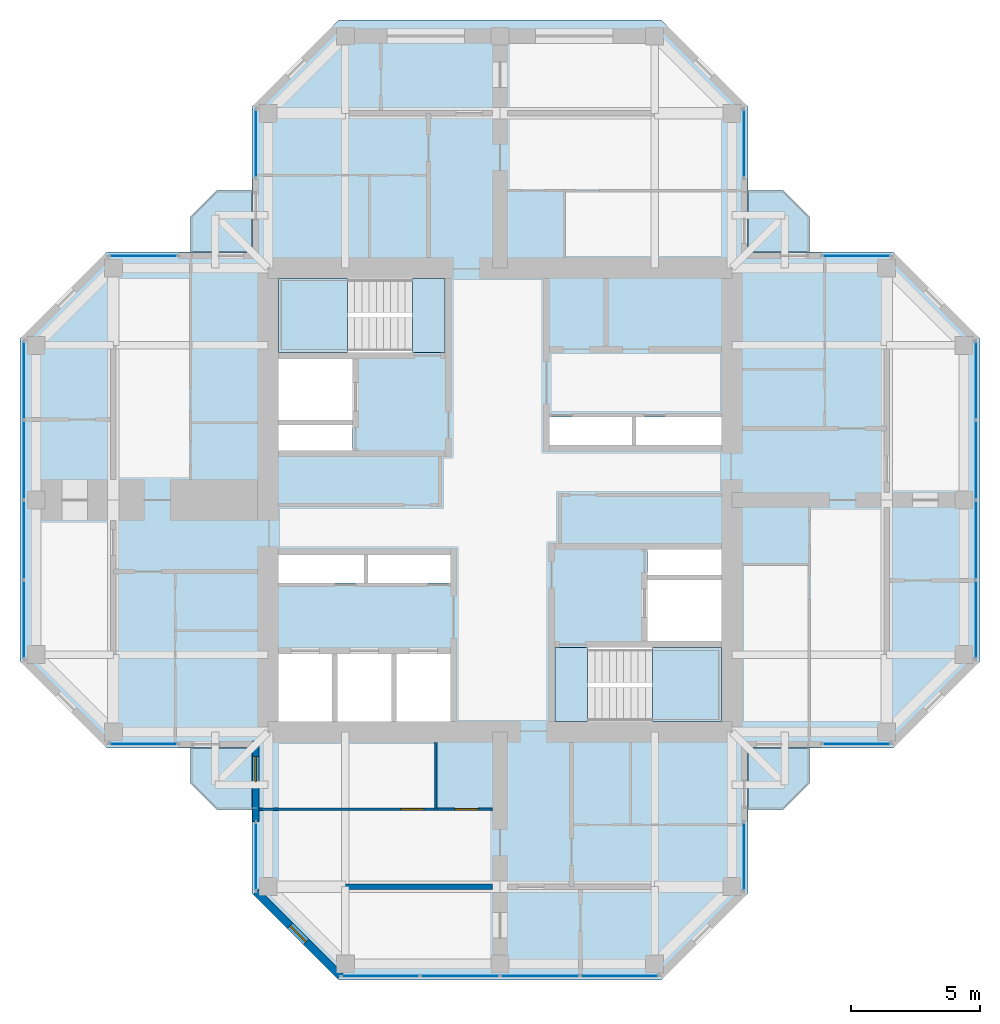
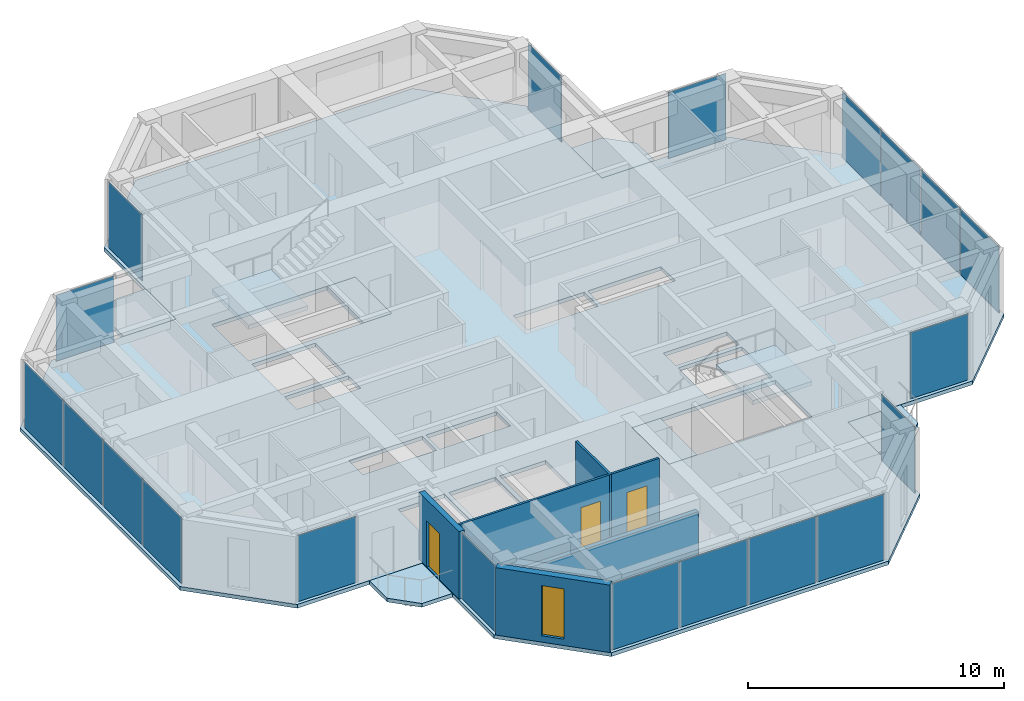
# One storey, part 7 of 13: 20 plates, 9 slabs, 5 walls, 3 doors, 1 window, 4 openings, 13 elements without a shape of their own.
"""IFC4 building model written with IfcOpenShell, lengths in metres."""

from ifc_helpers import new_model, si_unit, direction, frame, frame_2d, origin, origin_2d, place, context, subcontext, project, spatial, polyline, rectangle, hollow_rectangle, outline, extrude, material, layer, layer_set, constituent, constituent_set, type_object, element, fill, aggregate, save


model = new_model("IFC4")

# Units and contexts
model_context = context("Model", 3, precision=1e-05, world=origin(), true_north=direction((0.0, 1.0)))
body_context = subcontext(model_context, "Body", "Model", "MODEL_VIEW")
ifc_project = project(units=[si_unit("LENGTHUNIT", "METRE"), si_unit("AREAUNIT", "SQUARE_METRE"), si_unit("VOLUMEUNIT", "CUBIC_METRE"), si_unit("PLANEANGLEUNIT", "RADIAN"), si_unit("MASSUNIT", "GRAM", prefix="KILO")], contexts=[model_context])

# Site, building, storey
site_placement = place(None, origin())
site = spatial("IfcSite", under=ifc_project, at=site_placement, CompositionType="ELEMENT")
building_placement = place(site_placement, origin())
building = spatial("IfcBuilding", under=site, at=building_placement, Name="Torre Cruceta", CompositionType="ELEMENT")
storey_placement = place(building_placement, frame((0.0, 0.0, 261.10009765625)))
storey = spatial("IfcBuildingStorey", under=building, at=storey_placement, Name="L67", CompositionType="ELEMENT", Elevation=261.10009765625)

# Slabs
ifc_material_1 = material(Name="Concrete G35 (fck 35 MPa)", Category="concrete")
ifc_layer_1 = layer(ifc_material_1, 0.179931640625)
ifc_layer_set_1 = layer_set([ifc_layer_1], Name="Concrete G35 (fck 35 MPa)")
slab_type_1 = type_object("IfcSlabType", Name="BALCONY SLAB 180", PredefinedType="USERDEFINED", material=ifc_layer_set_1)
slab_1_placement = place(storey_placement, frame((0.0, 0.0, -0.18017578125)))
element("IfcSlab", 1, at=slab_1_placement, inside=storey, type_object=slab_type_1, Name="Balcony slab L67 N", ObjectType="BALCONY", PredefinedType="USERDEFINED", context=body_context, shape_type="SweptSolid", body=[
    extrude(outline(polyline([(-12.0, 11.0), (-11.0, 12.0), (-9.6201171875, 12.0), (-9.6201171875, 9.6201171875), (-12.0, 9.6201171875), (-12.0, 11.0)])), origin(), (0.0, 0.0, 1.0), 0.18017578125),
])
slab_2_placement = place(storey_placement, frame((0.0, 0.0, -0.18017578125)))
element("IfcSlab", 2, at=slab_2_placement, inside=storey, type_object=slab_type_1, Name="Balcony slab L67 E", ObjectType="BALCONY", PredefinedType="USERDEFINED", context=body_context, shape_type="SweptSolid", body=[
    extrude(outline(polyline([(11.0, 12.0), (12.0, 11.0), (12.0, 9.6201171875), (9.6201171875, 9.6201171875), (9.6201171875, 12.0), (11.0, 12.0)])), origin(), (0.0, 0.0, 1.0), 0.18017578125),
])
slab_3_placement = place(storey_placement, frame((0.0, 0.0, -0.18017578125)))
element("IfcSlab", 3, at=slab_3_placement, inside=storey, type_object=slab_type_1, Name="Balcony slab L67 S", ObjectType="BALCONY", PredefinedType="USERDEFINED", context=body_context, shape_type="SweptSolid", body=[
    extrude(outline(polyline([(12.0, -11.0), (11.0, -12.0), (9.6201171875, -12.0), (9.6201171875, -9.6201171875), (12.0, -9.6201171875), (12.0, -11.0)])), origin(), (0.0, 0.0, 1.0), 0.18017578125),
])
slab_4_placement = place(storey_placement, frame((0.0, 0.0, -0.18017578125)))
element("IfcSlab", 4, at=slab_4_placement, inside=storey, type_object=slab_type_1, Name="Balcony slab L67 W", ObjectType="BALCONY", PredefinedType="USERDEFINED", context=body_context, shape_type="SweptSolid", body=[
    extrude(outline(polyline([(-11.0, -12.0), (-12.0, -11.0), (-12.0, -9.6201171875), (-9.6201171875, -9.6201171875), (-9.6201171875, -12.0), (-11.0, -12.0)])), origin(), (0.0, 0.0, 1.0), 0.18017578125),
])

# Curtain wall, plate
ifc_material_2 = material(Name="Aluminium unitised curtain wall", Category="aluminium")
curtain_wall_type = type_object("IfcCurtainWallType", Name="CURTAIN WALL CW-E CO-LIVING TOP", PredefinedType="USERDEFINED", material=ifc_material_2)
curtain_wall_1_placement = place(storey_placement, origin())
curtain_wall_1 = element("IfcCurtainWall", 5, at=curtain_wall_1_placement, inside=storey, type_object=curtain_wall_type, Name="CW-E L67 E tip 02", ObjectType="UNITISED", PredefinedType="USERDEFINED")
ifc_material_3 = material(Name="Laminated insulating glass unit, diagonal frit 50 %", Category="glass")
ifc_material_4 = material(Name="Laminated insulating glass unit, diagonal frit 50 %", Category="glass")
ifc_layer_2 = layer(ifc_material_4, 0.028076171875)
ifc_layer_set_2 = layer_set([ifc_layer_2], Name="Laminated insulating glass unit, diagonal frit 50 %")
plate_type_1 = type_object("IfcPlateType", Name="CW-E OPERABLE VENT PANEL 28", PredefinedType="CURTAIN_PANEL", material=ifc_layer_set_2)
plate_1_placement = place(storey_placement, frame((18.469970703125, -1.548583984375, 0.009765625), z_axis=(0.0, 0.0, 1.0), x_axis=(0.0, 1.0, 0.0)))
plate_1 = element("IfcPlate", 6, at=plate_1_placement, type_object=plate_type_1, material=ifc_material_3, Name="CW-E vent 2", PredefinedType="CURTAIN_PANEL", context=body_context, shape_type="SweptSolid", body=[
    extrude(rectangle(XDim=3.042236328125, YDim=0.028076171875, at=origin_2d()), origin(), (0.0, 0.0, 1.0), 3.155029296875),
])

curtain_wall_2_placement = place(storey_placement, origin())
curtain_wall_2 = element("IfcCurtainWall", 7, at=curtain_wall_2_placement, inside=storey, type_object=curtain_wall_type, Name="CW-E L67 W tip 12", ObjectType="UNITISED", PredefinedType="USERDEFINED")
plate_2_placement = place(storey_placement, frame((-18.469970703125, 1.548583984375, 0.009765625), z_axis=(0.0, 0.0, 1.0), x_axis=(0.0, -1.0, 0.0)))
plate_2 = element("IfcPlate", 8, at=plate_2_placement, type_object=plate_type_1, material=ifc_material_3, Name="CW-E vent 2", PredefinedType="CURTAIN_PANEL", context=body_context, shape_type="SweptSolid", body=[
    extrude(rectangle(XDim=3.042236328125, YDim=0.028076171875, at=origin_2d()), origin(), (0.0, 0.0, 1.0), 3.155029296875),
])

curtain_wall_3_placement = place(storey_placement, origin())
curtain_wall_3 = element("IfcCurtainWall", 9, at=curtain_wall_3_placement, inside=storey, type_object=curtain_wall_type, Name="CW-E L67 S tip 17", ObjectType="UNITISED", PredefinedType="USERDEFINED")
plate_3_placement = place(storey_placement, frame((-1.548583984375, -18.469970703125, 0.009765625), z_axis=(0.0, 0.0, 1.0), x_axis=(1.0, 0.0, 0.0)))
plate_3 = element("IfcPlate", 10, at=plate_3_placement, type_object=plate_type_1, material=ifc_material_3, Name="CW-E vent 2", PredefinedType="CURTAIN_PANEL", context=body_context, shape_type="SweptSolid", body=[
    extrude(rectangle(XDim=3.042236328125, YDim=0.028076171875, at=origin_2d()), origin(), (0.0, 0.0, 1.0), 3.155029296875),
])

curtain_wall_4_placement = place(storey_placement, origin())
curtain_wall_4 = element("IfcCurtainWall", 11, at=curtain_wall_4_placement, inside=storey, type_object=curtain_wall_type, Name="CW-E L67 E side 00", ObjectType="UNITISED", PredefinedType="USERDEFINED")
ifc_material_5 = material(Name="Laminated insulating glass unit, low-iron clear", Category="glass")
ifc_material_6 = material(Name="Laminated insulating glass unit, diagonal frit 50 %", Category="glass")
ifc_layer_3 = layer(ifc_material_6, 0.028076171875)
ifc_layer_set_3 = layer_set([ifc_layer_3], Name="Laminated insulating glass unit, diagonal frit 50 %")
plate_type_2 = type_object("IfcPlateType", Name="CW-E PANEL 28", PredefinedType="CURTAIN_PANEL", material=ifc_layer_set_3)
plate_4_placement = place(storey_placement, frame((13.832275390625, -9.469970703125, 0.009765625), z_axis=(0.0, 0.0, 1.0), x_axis=(1.0, 0.0, 0.0)))
plate_4 = element("IfcPlate", 12, at=plate_4_placement, type_object=plate_type_2, material=ifc_material_5, Name="CW-E panel 1", PredefinedType="CURTAIN_PANEL", context=body_context, shape_type="SweptSolid", body=[
    extrude(rectangle(XDim=2.61474609375, YDim=0.028076171875, at=origin_2d()), origin(), (0.0, 0.0, 1.0), 3.155029296875),
])
aggregate(curtain_wall_4, [plate_4])

# Plate
plate_5_placement = place(storey_placement, frame((18.469970703125, -4.63232421875, 0.009765625), z_axis=(0.0, 0.0, 1.0), x_axis=(0.0, 1.0, 0.0)))
plate_5 = element("IfcPlate", 13, at=plate_5_placement, type_object=plate_type_2, material=ifc_material_5, Name="CW-E panel 1", PredefinedType="CURTAIN_PANEL", context=body_context, shape_type="SweptSolid", body=[
    extrude(rectangle(XDim=3.014892578125, YDim=0.028076171875, at=origin_2d()), origin(), (0.0, 0.0, 1.0), 3.155029296875),
])

plate_6_placement = place(storey_placement, frame((18.469970703125, 1.548583984375, 0.009765625), z_axis=(0.0, 0.0, 1.0), x_axis=(0.0, 1.0, 0.0)))
plate_6 = element("IfcPlate", 14, at=plate_6_placement, type_object=plate_type_2, material=ifc_material_3, Name="CW-E panel 3", PredefinedType="CURTAIN_PANEL", context=body_context, shape_type="SweptSolid", body=[
    extrude(rectangle(XDim=3.042236328125, YDim=0.028076171875, at=origin_2d()), origin(), (0.0, 0.0, 1.0), 3.155029296875),
])

plate_7_placement = place(storey_placement, frame((18.469970703125, 4.63232421875, 0.009765625), z_axis=(0.0, 0.0, 1.0), x_axis=(0.0, 1.0, 0.0)))
plate_7 = element("IfcPlate", 15, at=plate_7_placement, type_object=plate_type_2, material=ifc_material_3, Name="CW-E panel 4", PredefinedType="CURTAIN_PANEL", context=body_context, shape_type="SweptSolid", body=[
    extrude(rectangle(XDim=3.014892578125, YDim=0.028076171875, at=origin_2d()), origin(), (0.0, 0.0, 1.0), 3.155029296875),
])

aggregate(curtain_wall_1, [plate_5, plate_1, plate_6, plate_7])

# Curtain wall, plate
curtain_wall_5_placement = place(storey_placement, origin())
curtain_wall_5 = element("IfcCurtainWall", 16, at=curtain_wall_5_placement, inside=storey, type_object=curtain_wall_type, Name="CW-E L67 E side 04", ObjectType="UNITISED", PredefinedType="USERDEFINED")
plate_8_placement = place(storey_placement, frame((13.832275390625, 9.469970703125, 0.009765625), z_axis=(0.0, 0.0, 1.0), x_axis=(-1.0, 0.0, 0.0)))
plate_8 = element("IfcPlate", 17, at=plate_8_placement, type_object=plate_type_2, material=ifc_material_5, Name="CW-E panel 1", PredefinedType="CURTAIN_PANEL", context=body_context, shape_type="SweptSolid", body=[
    extrude(rectangle(XDim=2.61474609375, YDim=0.028076171875, at=origin_2d()), origin(), (0.0, 0.0, 1.0), 3.155029296875),
])
aggregate(curtain_wall_5, [plate_8])

curtain_wall_6_placement = place(storey_placement, origin())
curtain_wall_6 = element("IfcCurtainWall", 18, at=curtain_wall_6_placement, inside=storey, type_object=curtain_wall_type, Name="CW-E L67 N side 05", ObjectType="UNITISED", PredefinedType="USERDEFINED")
plate_9_placement = place(storey_placement, frame((9.469970703125, 13.832275390625, 0.009765625), z_axis=(0.0, 0.0, 1.0), x_axis=(0.0, 1.0, 0.0)))
plate_9 = element("IfcPlate", 19, at=plate_9_placement, type_object=plate_type_2, material=ifc_material_5, Name="CW-E panel 1", PredefinedType="CURTAIN_PANEL", context=body_context, shape_type="SweptSolid", body=[
    extrude(rectangle(XDim=2.61474609375, YDim=0.028076171875, at=origin_2d()), origin(), (0.0, 0.0, 1.0), 3.155029296875),
])
aggregate(curtain_wall_6, [plate_9])

curtain_wall_7_placement = place(storey_placement, origin())
curtain_wall_7 = element("IfcCurtainWall", 20, at=curtain_wall_7_placement, inside=storey, type_object=curtain_wall_type, Name="CW-E L67 N side 09", ObjectType="UNITISED", PredefinedType="USERDEFINED")
plate_10_placement = place(storey_placement, frame((-9.469970703125, 13.832275390625, 0.009765625), z_axis=(0.0, 0.0, 1.0), x_axis=(0.0, -1.0, 0.0)))
plate_10 = element("IfcPlate", 21, at=plate_10_placement, type_object=plate_type_2, material=ifc_material_5, Name="CW-E panel 1", PredefinedType="CURTAIN_PANEL", context=body_context, shape_type="SweptSolid", body=[
    extrude(rectangle(XDim=2.61474609375, YDim=0.028076171875, at=origin_2d()), origin(), (0.0, 0.0, 1.0), 3.155029296875),
])
aggregate(curtain_wall_7, [plate_10])

curtain_wall_8_placement = place(storey_placement, origin())
curtain_wall_8 = element("IfcCurtainWall", 22, at=curtain_wall_8_placement, inside=storey, type_object=curtain_wall_type, Name="CW-E L67 W side 10", ObjectType="UNITISED", PredefinedType="USERDEFINED")
plate_11_placement = place(storey_placement, frame((-13.832275390625, 9.469970703125, 0.009765625), z_axis=(0.0, 0.0, 1.0), x_axis=(-1.0, 0.0, 0.0)))
plate_11 = element("IfcPlate", 23, at=plate_11_placement, type_object=plate_type_2, material=ifc_material_5, Name="CW-E panel 1", PredefinedType="CURTAIN_PANEL", context=body_context, shape_type="SweptSolid", body=[
    extrude(rectangle(XDim=2.61474609375, YDim=0.028076171875, at=origin_2d()), origin(), (0.0, 0.0, 1.0), 3.155029296875),
])
aggregate(curtain_wall_8, [plate_11])

# Plate
plate_12_placement = place(storey_placement, frame((-18.469970703125, 4.63232421875, 0.009765625), z_axis=(0.0, 0.0, 1.0), x_axis=(0.0, -1.0, 0.0)))
plate_12 = element("IfcPlate", 24, at=plate_12_placement, type_object=plate_type_2, material=ifc_material_5, Name="CW-E panel 1", PredefinedType="CURTAIN_PANEL", context=body_context, shape_type="SweptSolid", body=[
    extrude(rectangle(XDim=3.014892578125, YDim=0.028076171875, at=origin_2d()), origin(), (0.0, 0.0, 1.0), 3.155029296875),
])

plate_13_placement = place(storey_placement, frame((-18.469970703125, -1.548583984375, 0.009765625), z_axis=(0.0, 0.0, 1.0), x_axis=(0.0, -1.0, 0.0)))
plate_13 = element("IfcPlate", 25, at=plate_13_placement, type_object=plate_type_2, material=ifc_material_3, Name="CW-E panel 3", PredefinedType="CURTAIN_PANEL", context=body_context, shape_type="SweptSolid", body=[
    extrude(rectangle(XDim=3.042236328125, YDim=0.028076171875, at=origin_2d()), origin(), (0.0, 0.0, 1.0), 3.155029296875),
])

plate_14_placement = place(storey_placement, frame((-18.469970703125, -4.63232421875, 0.009765625), z_axis=(0.0, 0.0, 1.0), x_axis=(0.0, -1.0, 0.0)))
plate_14 = element("IfcPlate", 26, at=plate_14_placement, type_object=plate_type_2, material=ifc_material_3, Name="CW-E panel 4", PredefinedType="CURTAIN_PANEL", context=body_context, shape_type="SweptSolid", body=[
    extrude(rectangle(XDim=3.014892578125, YDim=0.028076171875, at=origin_2d()), origin(), (0.0, 0.0, 1.0), 3.155029296875),
])

aggregate(curtain_wall_2, [plate_12, plate_2, plate_13, plate_14])

# Curtain wall, plate
curtain_wall_9_placement = place(storey_placement, origin())
curtain_wall_9 = element("IfcCurtainWall", 27, at=curtain_wall_9_placement, inside=storey, type_object=curtain_wall_type, Name="CW-E L67 W side 14", ObjectType="UNITISED", PredefinedType="USERDEFINED")
plate_15_placement = place(storey_placement, frame((-13.832275390625, -9.469970703125, 0.009765625), z_axis=(0.0, 0.0, 1.0), x_axis=(1.0, 0.0, 0.0)))
plate_15 = element("IfcPlate", 28, at=plate_15_placement, type_object=plate_type_2, material=ifc_material_5, Name="CW-E panel 1", PredefinedType="CURTAIN_PANEL", context=body_context, shape_type="SweptSolid", body=[
    extrude(rectangle(XDim=2.61474609375, YDim=0.028076171875, at=origin_2d()), origin(), (0.0, 0.0, 1.0), 3.155029296875),
])
aggregate(curtain_wall_9, [plate_15])

curtain_wall_10_placement = place(storey_placement, origin())
curtain_wall_10 = element("IfcCurtainWall", 29, at=curtain_wall_10_placement, inside=storey, type_object=curtain_wall_type, Name="CW-E L67 S side 15", ObjectType="UNITISED", PredefinedType="USERDEFINED")
plate_16_placement = place(storey_placement, frame((-9.469970703125, -13.832275390625, 0.009765625), z_axis=(0.0, 0.0, 1.0), x_axis=(0.0, -1.0, 0.0)))
plate_16 = element("IfcPlate", 30, at=plate_16_placement, type_object=plate_type_2, material=ifc_material_5, Name="CW-E panel 1", PredefinedType="CURTAIN_PANEL", context=body_context, shape_type="SweptSolid", body=[
    extrude(rectangle(XDim=2.61474609375, YDim=0.028076171875, at=origin_2d()), origin(), (0.0, 0.0, 1.0), 3.155029296875),
])
aggregate(curtain_wall_10, [plate_16])

# Plate
plate_17_placement = place(storey_placement, frame((-4.63232421875, -18.469970703125, 0.009765625), z_axis=(0.0, 0.0, 1.0), x_axis=(1.0, 0.0, 0.0)))
plate_17 = element("IfcPlate", 31, at=plate_17_placement, type_object=plate_type_2, material=ifc_material_5, Name="CW-E panel 1", PredefinedType="CURTAIN_PANEL", context=body_context, shape_type="SweptSolid", body=[
    extrude(rectangle(XDim=3.014892578125, YDim=0.028076171875, at=origin_2d()), origin(), (0.0, 0.0, 1.0), 3.155029296875),
])

plate_18_placement = place(storey_placement, frame((1.548583984375, -18.469970703125, 0.009765625), z_axis=(0.0, 0.0, 1.0), x_axis=(1.0, 0.0, 0.0)))
plate_18 = element("IfcPlate", 32, at=plate_18_placement, type_object=plate_type_2, material=ifc_material_3, Name="CW-E panel 3", PredefinedType="CURTAIN_PANEL", context=body_context, shape_type="SweptSolid", body=[
    extrude(rectangle(XDim=3.042236328125, YDim=0.028076171875, at=origin_2d()), origin(), (0.0, 0.0, 1.0), 3.155029296875),
])

plate_19_placement = place(storey_placement, frame((4.63232421875, -18.469970703125, 0.009765625), z_axis=(0.0, 0.0, 1.0), x_axis=(1.0, 0.0, 0.0)))
plate_19 = element("IfcPlate", 33, at=plate_19_placement, type_object=plate_type_2, material=ifc_material_3, Name="CW-E panel 4", PredefinedType="CURTAIN_PANEL", context=body_context, shape_type="SweptSolid", body=[
    extrude(rectangle(XDim=3.014892578125, YDim=0.028076171875, at=origin_2d()), origin(), (0.0, 0.0, 1.0), 3.155029296875),
])

aggregate(curtain_wall_3, [plate_17, plate_3, plate_18, plate_19])

# Curtain wall, plate
curtain_wall_11_placement = place(storey_placement, origin())
curtain_wall_11 = element("IfcCurtainWall", 34, at=curtain_wall_11_placement, inside=storey, type_object=curtain_wall_type, Name="CW-E L67 S side 19", ObjectType="UNITISED", PredefinedType="USERDEFINED")
plate_20_placement = place(storey_placement, frame((9.469970703125, -13.832275390625, 0.009765625), z_axis=(0.0, 0.0, 1.0), x_axis=(0.0, 1.0, 0.0)))
plate_20 = element("IfcPlate", 35, at=plate_20_placement, type_object=plate_type_2, material=ifc_material_5, Name="CW-E panel 1", PredefinedType="CURTAIN_PANEL", context=body_context, shape_type="SweptSolid", body=[
    extrude(rectangle(XDim=2.61474609375, YDim=0.028076171875, at=origin_2d()), origin(), (0.0, 0.0, 1.0), 3.155029296875),
])
aggregate(curtain_wall_11, [plate_20])

# Slab
ifc_material_7 = material(Name="Concrete G35 (fck 35 MPa)", Category="concrete")
ifc_layer_4 = layer(ifc_material_7, 0.179931640625)
ifc_layer_set_4 = layer_set([ifc_layer_4], Name="Concrete G35 (fck 35 MPa)")
slab_type_2 = type_object("IfcSlabType", Name="FLOOR SLAB 180", PredefinedType="FLOOR", material=ifc_layer_set_4)
slab_5_placement = place(storey_placement, frame((0.0, 0.0, -0.18017578125)))
element("IfcSlab", 36, at=slab_5_placement, inside=storey, type_object=slab_type_2, Name="Floor Slab L67", PredefinedType="FLOOR", context=body_context, shape_type="SweptSolid", body=[
    extrude(outline(polyline([(9.6201171875, -9.6201171875), (9.6201171875, -15.2568359375), (6.2568359375, -18.6201171875), (-6.2568359375, -18.6201171875), (-9.6201171875, -15.2568359375), (-9.6201171875, -9.6201171875), (-15.2568359375, -9.6201171875), (-18.6201171875, -6.2568359375), (-18.6201171875, 6.2568359375), (-15.2568359375, 9.6201171875), (-9.6201171875, 9.6201171875), (-9.6201171875, 15.2568359375), (-6.2568359375, 18.6201171875), (6.2568359375, 18.6201171875), (9.6201171875, 15.2568359375), (9.6201171875, 9.6201171875), (15.2568359375, 9.6201171875), (18.6201171875, 6.2568359375), (18.6201171875, -6.2568359375), (15.2568359375, -9.6201171875), (9.6201171875, -9.6201171875)]), holes=[polyline([(1.925048828125, 2.125), (5.125, 2.125), (5.125, 3.22509765625), (1.925048828125, 3.22509765625), (1.925048828125, 2.125)]), polyline([(5.27490234375, 2.125), (8.60009765625, 2.125), (8.60009765625, 3.22509765625), (5.27490234375, 3.22509765625), (5.27490234375, 2.125)]), polyline([(-8.60009765625, 3.10009765625), (-5.72509765625, 3.10009765625), (-5.72509765625, 5.47509765625), (-8.60009765625, 5.47509765625), (-8.60009765625, 3.10009765625)]), polyline([(-8.60009765625, 1.925048828125), (-5.72509765625, 1.925048828125), (-5.72509765625, 2.89990234375), (-8.60009765625, 2.89990234375), (-8.60009765625, 1.925048828125)]), polyline([(-4.0166015625, -8.60009765625), (-1.925048828125, -8.60009765625), (-1.925048828125, -5.97509765625), (-4.0166015625, -5.97509765625), (-4.0166015625, -8.60009765625)]), polyline([(-6.308349609375, -8.60009765625), (-4.216552734375, -8.60009765625), (-4.216552734375, -5.97509765625), (-6.308349609375, -5.97509765625), (-6.308349609375, -8.60009765625)]), polyline([(-8.60009765625, -8.60009765625), (-6.50830078125, -8.60009765625), (-6.50830078125, -5.97509765625), (-8.60009765625, -5.97509765625), (-8.60009765625, -8.60009765625)]), polyline([(-5.125, -3.22509765625), (-1.925048828125, -3.22509765625), (-1.925048828125, -2.125), (-5.125, -2.125), (-5.125, -3.22509765625)]), polyline([(-8.60009765625, -3.22509765625), (-5.27490234375, -3.22509765625), (-5.27490234375, -2.125), (-8.60009765625, -2.125), (-8.60009765625, -3.22509765625)]), polyline([(5.72509765625, -5.47509765625), (8.60009765625, -5.47509765625), (8.60009765625, -3.10009765625), (5.72509765625, -3.10009765625), (5.72509765625, -5.47509765625)]), polyline([(5.72509765625, -2.89990234375), (8.60009765625, -2.89990234375), (8.60009765625, -1.925048828125), (5.72509765625, -1.925048828125), (5.72509765625, -2.89990234375)]), polyline([(-8.60009765625, 5.72509765625), (-8.60009765625, 8.60009765625), (-3.39990234375, 8.60009765625), (-2.125, 8.60009765625), (-2.125, 5.72509765625), (-3.39990234375, 5.72509765625), (-8.60009765625, 5.72509765625)]), polyline([(2.125, -5.72509765625), (3.39990234375, -5.72509765625), (8.60009765625, -5.72509765625), (8.60009765625, -8.60009765625), (3.39990234375, -8.60009765625), (2.125, -8.60009765625), (2.125, -5.72509765625)])]), origin(), (0.0, 0.0, 1.0), 0.18017578125),
])

# Stair, slab
ifc_material_8 = material(Name="Concrete G30 (fck 30 MPa)", Category="concrete")
stair_type = type_object("IfcStairType", Name="STAIR HALF-TURN 1300", PredefinedType="HALF_TURN_STAIR", material=ifc_material_8)
stair_1_placement = place(storey_placement, origin())
stair_1 = element("IfcStair", 37, at=stair_1_placement, inside=storey, type_object=stair_type, Name="Stair ST1 L67", PredefinedType="HALF_TURN_STAIR")
ifc_material_9 = material(Name="Concrete G30 (fck 30 MPa)", Category="concrete")
ifc_layer_5 = layer(ifc_material_9, 0.199951171875)
ifc_layer_set_5 = layer_set([ifc_layer_5], Name="Concrete G30 (fck 30 MPa)")
slab_type_3 = type_object("IfcSlabType", Name="STAIR LANDING 200", PredefinedType="LANDING", material=ifc_layer_set_5)
slab_6_placement = place(storey_placement, frame((0.0, 0.0, 1.5)))
slab_6 = element("IfcSlab", 38, at=slab_6_placement, type_object=slab_type_3, Name="ST1 landing 1", PredefinedType="LANDING", context=body_context, shape_type="SweptSolid", body=[
    extrude(outline(polyline([(-8.60009765625, 5.72509765625), (-5.919921875, 5.72509765625), (-5.919921875, 8.60009765625), (-8.60009765625, 8.60009765625), (-8.60009765625, 5.72509765625)])), origin(), (0.0, 0.0, 1.0), 0.199951171875),
])
aggregate(stair_1, [slab_6])

stair_2_placement = place(storey_placement, origin())
stair_2 = element("IfcStair", 39, at=stair_2_placement, inside=storey, type_object=stair_type, Name="Stair ST2 L67", PredefinedType="HALF_TURN_STAIR")
slab_7_placement = place(storey_placement, frame((0.0, 0.0, 1.5)))
slab_7 = element("IfcSlab", 40, at=slab_7_placement, type_object=slab_type_3, Name="ST2 landing 1", PredefinedType="LANDING", context=body_context, shape_type="SweptSolid", body=[
    extrude(outline(polyline([(5.919921875, -8.60009765625), (8.60009765625, -8.60009765625), (8.60009765625, -5.72509765625), (5.919921875, -5.72509765625), (5.919921875, -8.60009765625)])), origin(), (0.0, 0.0, 1.0), 0.199951171875),
])
aggregate(stair_2, [slab_7])

# Slabs
slab_8_placement = place(storey_placement, frame((0.0, 0.0, -0.2001953125)))
element("IfcSlab", 41, at=slab_8_placement, inside=storey, type_object=slab_type_3, Name="Stair ST1 floor landing L67", PredefinedType="LANDING", context=body_context, shape_type="SweptSolid", body=[
    extrude(outline(polyline([(-2.125, 8.60009765625), (-2.125, 5.72509765625), (-3.39990234375, 5.72509765625), (-3.39990234375, 8.60009765625), (-2.125, 8.60009765625)])), origin(), (0.0, 0.0, 1.0), 0.2001953125),
])
slab_9_placement = place(storey_placement, frame((0.0, 0.0, -0.2001953125)))
element("IfcSlab", 42, at=slab_9_placement, inside=storey, type_object=slab_type_3, Name="Stair ST2 floor landing L67", PredefinedType="LANDING", context=body_context, shape_type="SweptSolid", body=[
    extrude(outline(polyline([(2.125, -8.60009765625), (2.125, -5.72509765625), (3.39990234375, -5.72509765625), (3.39990234375, -8.60009765625), (2.125, -8.60009765625)])), origin(), (0.0, 0.0, 1.0), 0.2001953125),
])

# Wall
ifc_material_10 = material(Name="Water-resistant plasterboard on steel studs", Category="steel")
ifc_layer_6 = layer(ifc_material_10, 0.10009765625)
ifc_layer_set_6 = layer_set([ifc_layer_6], Name="Water-resistant plasterboard on steel studs")
wall_type_1 = type_object("IfcWallType", Name="BATHROOM WALL 100", PredefinedType="PARTITIONING", material=ifc_layer_set_6)
wall_1_placement = place(storey_placement, frame((-2.5, -9.39990234375, 0.0), z_axis=(0.0, 0.0, 1.0), x_axis=(0.0, -1.0, 0.0)))
element("IfcWall", 43, at=wall_1_placement, inside=storey, type_object=wall_type_1, Name="PT4 L67-S-U1RBB", PredefinedType="PARTITIONING", context=body_context, shape_type="SweptSolid", body=[
    extrude(rectangle(XDim=2.650146484375, YDim=0.10009765625, at=frame_2d((1.3251953125, 0.0))), origin(), (0.0, 0.0, 1.0), 3.219970703125),
])

# Wall, openings, doors
wall_2_placement = place(storey_placement, frame((-9.344970703125, -12.0, 0.0), z_axis=(0.0, 0.0, 1.0), x_axis=(1.0, 0.0, 0.0)))
wall_2 = element("IfcWall", 44, at=wall_2_placement, inside=storey, type_object=wall_type_1, Name="PT4 L67-S-U1RBS", PredefinedType="PARTITIONING", context=body_context, shape_type="SweptSolid", body=[
    extrude(rectangle(XDim=9.044921875, YDim=0.10009765625, at=frame_2d((4.5224609375, 0.0))), origin(), (0.0, 0.0, 1.0), 3.219970703125),
])
opening_1_placement = place(wall_2_placement, frame((5.4951171875, 0.0, 0.0)))
opening_1 = element("IfcOpeningElement", 45, at=opening_1_placement, cuts=wall_2, Name="Opening D7", PredefinedType="OPENING", context=body_context, shape_type="SweptSolid", body=[
    extrude(rectangle(XDim=0.89990234375, YDim=2.10009765625, at=frame_2d((0.449951171875, 1.050048828125))), frame((0.0, 0.06005859375, 0.0), z_axis=(0.0, -1.0, 0.0), x_axis=(1.0, 0.0, 0.0)), (0.0, 0.0, 1.0), 0.1201171875),
])
opening_2_placement = place(wall_2_placement, frame((7.594970703125, 0.0, 0.0)))
opening_2 = element("IfcOpeningElement", 46, at=opening_2_placement, cuts=wall_2, Name="Opening D7", PredefinedType="OPENING", context=body_context, shape_type="SweptSolid", body=[
    extrude(rectangle(XDim=0.89990234375, YDim=2.10009765625, at=frame_2d((0.449951171875, 1.050048828125))), frame((0.0, 0.06005859375, 0.0), z_axis=(0.0, -1.0, 0.0), x_axis=(1.0, 0.0, 0.0)), (0.0, 0.0, 1.0), 0.1201171875),
])
ifc_material_11 = material(Name="Timber door", Category="wood")
door_type_1 = type_object("IfcDoorType", Name="BATHROOM DOOR 900X2100", OperationType="SINGLE_SWING_LEFT", PredefinedType="DOOR", material=ifc_material_11)
door_1_placement = place(opening_1_placement, origin())
door_1 = element("IfcDoor", 47, at=door_1_placement, inside=storey, type_object=door_type_1, Name="D7 L67-S-U1RBS-D1", OperationType="SINGLE_SWING_RIGHT", OverallHeight=2.10009765625, OverallWidth=0.89990234375, PredefinedType="DOOR", context=body_context, shape_type="SweptSolid", body=[
    extrude(rectangle(XDim=0.89990234375, YDim=2.10009765625, at=frame_2d((0.449951171875, 1.050048828125))), frame((0.0, 0.02490234375, 0.0), z_axis=(0.0, -1.0, 0.0), x_axis=(1.0, 0.0, 0.0)), (0.0, 0.0, 1.0), 0.050048828125),
])
fill(opening_1, door_1)
door_2_placement = place(opening_2_placement, origin())
door_2 = element("IfcDoor", 48, at=door_2_placement, inside=storey, type_object=door_type_1, Name="D7 L67-S-U1RBS-D2", OperationType="SINGLE_SWING_RIGHT", OverallHeight=2.10009765625, OverallWidth=0.89990234375, PredefinedType="DOOR", context=body_context, shape_type="SweptSolid", body=[
    extrude(rectangle(XDim=0.89990234375, YDim=2.10009765625, at=frame_2d((0.449951171875, 1.050048828125))), frame((0.0, 0.02490234375, 0.0), z_axis=(0.0, -1.0, 0.0), x_axis=(1.0, 0.0, 0.0)), (0.0, 0.0, 1.0), 0.050048828125),
])
fill(opening_2, door_2)

# Wall, opening, window
ifc_material_12 = material(Name="Concrete G30 (fck 30 MPa)", Category="concrete")
ifc_layer_7 = layer(ifc_material_12, 0.300048828125)
ifc_layer_set_7 = layer_set([ifc_layer_7], Name="Concrete G30 (fck 30 MPa)")
wall_type_2 = type_object("IfcWallType", Name="EXPOSED CONCRETE FACADE WALL 300", PredefinedType="SOLIDWALL", material=ifc_layer_set_7)
wall_3_placement = place(storey_placement, frame((-9.469970703125, -15.194580078125, 0.0), z_axis=(0.0, 0.0, 1.0), x_axis=(0.707106781187, -0.707106781187, 0.0)))
wall_3 = element("IfcWall", 49, at=wall_3_placement, inside=storey, type_object=wall_type_2, Name="EW1 facade wall L67 S chamfer 16", PredefinedType="SOLIDWALL", context=body_context, shape_type="SweptSolid", body=[
    extrude(rectangle(XDim=4.632080078125, YDim=0.300048828125, at=frame_2d((2.31591796875, 0.0))), origin(), (0.0, 0.0, 1.0), 3.219970703125),
])
opening_3_placement = place(wall_3_placement, frame((1.865966796875, 0.0, 0.300048828125)))
opening_3 = element("IfcOpeningElement", 50, at=opening_3_placement, cuts=wall_3, Name="Opening WN5", PredefinedType="OPENING", context=body_context, shape_type="SweptSolid", body=[
    extrude(rectangle(XDim=0.89990234375, YDim=2.39990234375, at=frame_2d((0.449951171875, 1.199951171875))), frame((0.0, 0.159912109375, 0.0), z_axis=(0.0, -1.0, 0.0), x_axis=(1.0, 0.0, 0.0)), (0.0, 0.0, 1.0), 0.320068359375),
])
ifc_material_13 = material(Name="Aluminium window frame", Category="aluminium")
ifc_constituent_1 = constituent(ifc_material_13, Name="Frame")
ifc_material_14 = material(Name="Laminated insulating glass unit, low-iron clear", Category="glass")
ifc_constituent_2 = constituent(ifc_material_14, Name="Glazing")
ifc_constituent_set_1 = constituent_set(constituents=[ifc_constituent_1, ifc_constituent_2], Name="Aluminium window")
window_type = type_object("IfcWindowType", Name="CHAMFER SLOT WINDOW 900X2400", PartitioningType="SINGLE_PANEL", PredefinedType="WINDOW", material=ifc_constituent_set_1)
window_placement = place(opening_3_placement, origin())
window = element("IfcWindow", 51, at=window_placement, inside=storey, type_object=window_type, Name="WN5 L67 S 1", OverallHeight=2.39990234375, OverallWidth=0.89990234375, PartitioningType="SINGLE_PANEL", PredefinedType="WINDOW", context=body_context, shape_type="SweptSolid", body=[
    extrude(hollow_rectangle(XDim=0.89990234375, YDim=2.39990234375, WallThickness=0.06005859375, at=frame_2d((0.449951171875, 1.199951171875))), frame((0.0, 0.030029296875, 0.0), z_axis=(0.0, -1.0, 0.0), x_axis=(1.0, 0.0, 0.0)), (0.0, 0.0, 1.0), 0.06005859375),
    extrude(rectangle(XDim=0.77880859375, YDim=2.27880859375, at=frame_2d((0.449951171875, 1.199951171875))), frame((0.0, 0.030029296875, 0.0), z_axis=(0.0, -1.0, 0.0), x_axis=(1.0, 0.0, 0.0)), (0.0, 0.0, 1.0), 0.06005859375),
])
fill(opening_3, window)

# Wall
ifc_material_15 = material(Name="Concrete G25 (fck 25 MPa)", Category="concrete")
ifc_layer_8 = layer(ifc_material_15, 0.199951171875)
ifc_layer_set_8 = layer_set([ifc_layer_8], Name="Concrete G25 (fck 25 MPa)")
wall_type_3 = type_object("IfcWallType", Name="UNIT SEPARATING WALL 200", PredefinedType="SOLIDWALL", material=ifc_layer_set_8)
wall_4_placement = place(storey_placement, frame((-8.64990234375, -15.0, 0.0), z_axis=(0.0, 0.0, 1.0), x_axis=(1.0, 0.0, 0.0)))
element("IfcWall", 52, at=wall_4_placement, inside=storey, type_object=wall_type_3, Name="PT2 L67-S-ENDa", PredefinedType="SOLIDWALL", context=body_context, shape_type="SweptSolid", body=[
    extrude(rectangle(XDim=8.349853515625, YDim=0.199951171875, at=frame_2d((4.1748046875, 0.0))), origin(), (0.0, 0.0, 1.0), 2.52001953125),
])

# Wall, opening, door
ifc_material_16 = material(Name="Concrete G30 (fck 30 MPa)", Category="concrete")
ifc_layer_9 = layer(ifc_material_16, 0.25)
ifc_layer_set_9 = layer_set([ifc_layer_9], Name="Concrete G30 (fck 30 MPa)")
wall_type_4 = type_object("IfcWallType", Name="WINTER GARDEN WALL 250", PredefinedType="SOLIDWALL", material=ifc_layer_set_9)
wall_5_placement = place(storey_placement, frame((-9.469970703125, -9.344970703125, 0.0), z_axis=(0.0, 0.0, 1.0), x_axis=(0.0, -1.0, 0.0)))
wall_5 = element("IfcWall", 53, at=wall_5_placement, inside=storey, type_object=wall_type_4, Name="EW2 winter garden wall L67 15", PredefinedType="SOLIDWALL", context=body_context, shape_type="SweptSolid", body=[
    extrude(rectangle(XDim=3.125, YDim=0.25, at=frame_2d((1.5625, 0.0))), origin(), (0.0, 0.0, 1.0), 3.219970703125),
])
opening_4_placement = place(wall_5_placement, frame((0.60009765625, 0.0, 0.0)))
opening_4 = element("IfcOpeningElement", 54, at=opening_4_placement, cuts=wall_5, Name="Opening D10", PredefinedType="OPENING", context=body_context, shape_type="SweptSolid", body=[
    extrude(rectangle(XDim=1.0, YDim=2.199951171875, at=frame_2d((0.5, 1.10009765625))), frame((0.0, 0.135009765625, 0.0), z_axis=(0.0, -1.0, 0.0), x_axis=(1.0, 0.0, 0.0)), (0.0, 0.0, 1.0), 0.27001953125),
])
ifc_material_17 = material(Name="Aluminium door frame", Category="aluminium")
ifc_constituent_3 = constituent(ifc_material_17, Name="Frame")
ifc_material_18 = material(Name="Laminated safety glass", Category="glass")
ifc_constituent_4 = constituent(ifc_material_18, Name="Glazing")
ifc_constituent_set_2 = constituent_set(constituents=[ifc_constituent_3, ifc_constituent_4], Name="Aluminium glazed door")
door_type_2 = type_object("IfcDoorType", Name="BALCONY DOOR 1000X2200", OperationType="SINGLE_SWING_RIGHT", PredefinedType="DOOR", material=ifc_constituent_set_2)
door_3_placement = place(opening_4_placement, origin())
door_3 = element("IfcDoor", 55, at=door_3_placement, inside=storey, type_object=door_type_2, Name="D10 balcony door L67 15", OperationType="SINGLE_SWING_LEFT", OverallHeight=2.199951171875, OverallWidth=1.0, PredefinedType="DOOR", context=body_context, shape_type="SweptSolid", body=[
    extrude(hollow_rectangle(XDim=1.0, YDim=2.199951171875, WallThickness=0.06005859375, at=frame_2d((0.5, 1.10009765625))), frame((0.0, 0.02490234375, 0.0), z_axis=(0.0, -1.0, 0.0), x_axis=(1.0, 0.0, 0.0)), (0.0, 0.0, 1.0), 0.050048828125),
    extrude(rectangle(XDim=0.87890625, YDim=2.078857421875, at=frame_2d((0.5, 1.10009765625))), frame((0.0, 0.02490234375, 0.0), z_axis=(0.0, -1.0, 0.0), x_axis=(1.0, 0.0, 0.0)), (0.0, 0.0, 1.0), 0.050048828125),
])
fill(opening_4, door_3)

save(model, "model.ifc")
